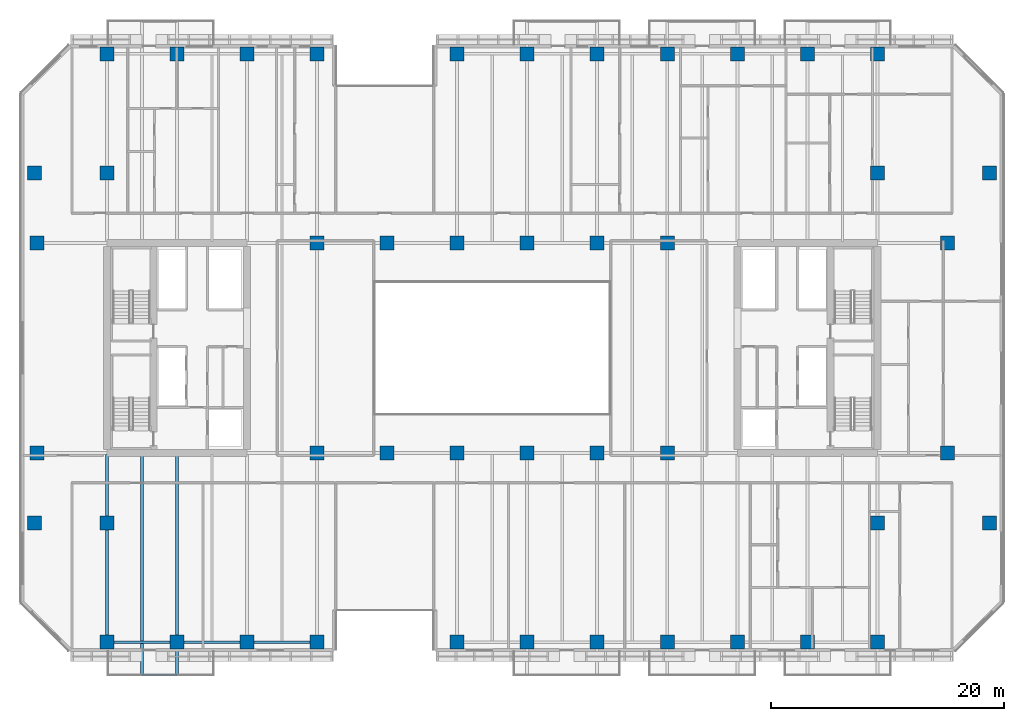
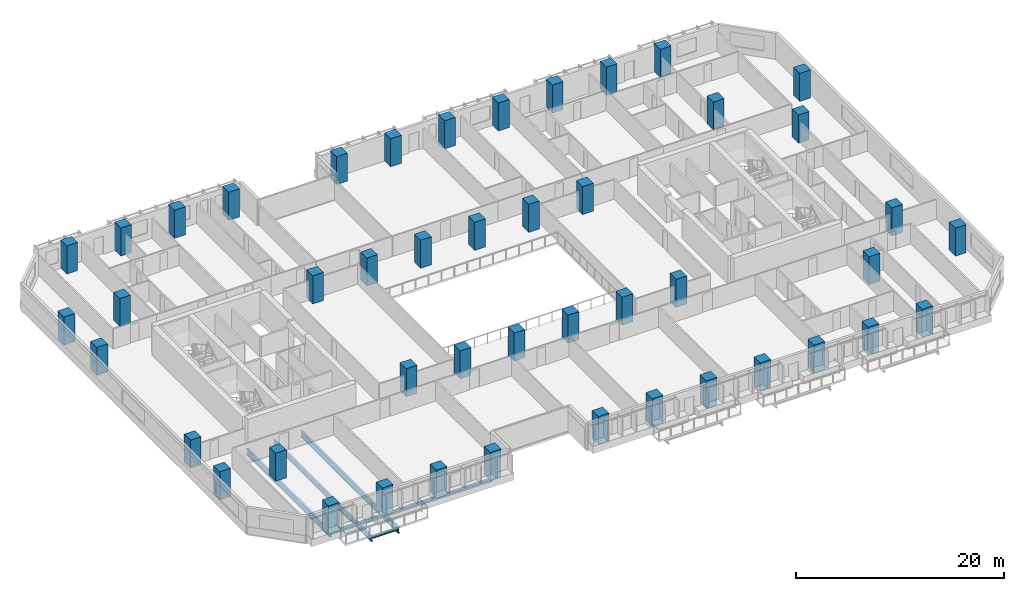
# One storey, part 1 of 25: 46 columns, 7 beams.
"""IFC4 building model written with IfcOpenShell, lengths in metres."""

import ifcopenshell
import ifcopenshell.guid

model = None  # the IFC model being written
_history = None  # IfcOwnerHistory: only IFC2X3 demands one
_inside = {}  # id of a spatial element -> (the spatial element, [elements in it])
_under = {}  # id of a project, library or spatial element -> (it, [spatial elements below it])
_declared = {}  # id of a project -> (the project, [libraries it declares])
_typed = {}  # id of a type object -> (the type object, [elements of that type])
_made_of = {}  # id of a material, layer set ... -> (it, [elements and type objects made of it])


def new_model(schema):
    """Start an empty IFC model of exactly this schema.

    Asked for "IFC4X3", IfcOpenShell would pick the latest addendum, in which some entities
    have other attributes; the version numbers below select the first issue.
    IFC2X3 requires an IfcOwnerHistory on every rooted entity: one is made here for all.
    """
    global model, _history
    if schema == "IFC4X3":
        model = ifcopenshell.file(schema_version=(4, 3, 0, 0))
    else:
        model = ifcopenshell.file(schema=schema)
    _inside.clear()
    _under.clear()
    _declared.clear()
    _typed.clear()
    _made_of.clear()
    _history = None
    if model.schema == "IFC2X3":
        org = make("IfcOrganization", Name="unknown")
        user = make(
            "IfcPersonAndOrganization",
            ThePerson=make("IfcPerson", FamilyName="unknown"),
            TheOrganization=org,
        )
        app = make(
            "IfcApplication",
            ApplicationDeveloper=org,
            Version="unknown",
            ApplicationFullName="unknown",
            ApplicationIdentifier="unknown",
        )
        _history = make(
            "IfcOwnerHistory",
            OwningUser=user,
            OwningApplication=app,
            ChangeAction="ADDED",
            CreationDate=0,
        )
    return model


def make(cls, **values):
    """One entity of the class cls with the attributes given. An attribute that is None is left unset."""
    return model.create_entity(
        cls, **{name: value for name, value in values.items() if value is not None}
    )


def rooted(cls, **values):
    """An entity with a GlobalId (a new one), such as an element, a storey or a relation."""
    return make(cls, GlobalId=ifcopenshell.guid.new(), OwnerHistory=_history, **values)


def si_unit(unit_type, name, prefix=None):
    """IfcSIUnit, for example si_unit("LENGTHUNIT", "METRE", prefix="MILLI")."""
    return make("IfcSIUnit", UnitType=unit_type, Prefix=prefix, Name=name)


def assignment(units):
    """IfcUnitAssignment: the units of a project."""
    return None if units is None else make("IfcUnitAssignment", Units=units)


def point(xyz):
    """IfcCartesianPoint."""
    return None if xyz is None else make("IfcCartesianPoint", Coordinates=xyz)


def direction(xyz):
    """IfcDirection."""
    return None if xyz is None else make("IfcDirection", DirectionRatios=xyz)


def frame(location, z_axis=None, x_axis=None):
    """IfcAxis2Placement3D, a coordinate frame: its origin and axes. An axis left out is left unset."""
    return make(
        "IfcAxis2Placement3D",
        Location=point(location),
        Axis=direction(z_axis),
        RefDirection=direction(x_axis),
    )


def frame_2d(location, x_axis=None):
    """IfcAxis2Placement2D, a coordinate frame in the plane: its origin and x axis."""
    return make(
        "IfcAxis2Placement2D", Location=point(location), RefDirection=direction(x_axis)
    )


def origin():
    """The frame at (0, 0, 0) with its axes left unset."""
    return frame((0.0, 0.0, 0.0))


def origin_2d():
    """The frame at (0, 0) in the plane with its x axis left unset."""
    return frame_2d((0.0, 0.0))


def place(relative_to, where):
    """IfcLocalPlacement: puts the frame where relative to a parent placement (None: the world)."""
    return make(
        "IfcLocalPlacement", PlacementRelTo=relative_to, RelativePlacement=where
    )


def context(
    kind, dimensions, precision=None, world=None, true_north=None, identifier=None
):
    """IfcGeometricRepresentationContext, for example the 3D "Model" context."""
    return make(
        "IfcGeometricRepresentationContext",
        ContextIdentifier=identifier,
        ContextType=kind,
        CoordinateSpaceDimension=dimensions,
        Precision=precision,
        WorldCoordinateSystem=world,
        TrueNorth=true_north,
    )


def subcontext(parent, identifier, kind, view, scale=None):
    """IfcGeometricRepresentationSubContext, for example "Body" below "Model"."""
    return make(
        "IfcGeometricRepresentationSubContext",
        ContextIdentifier=identifier,
        ContextType=kind,
        ParentContext=parent,
        TargetScale=scale,
        TargetView=view,
    )


def project(units=None, contexts=None):
    """IfcProject with its units and contexts."""
    return rooted(
        "IfcProject",
        Name="project",
        RepresentationContexts=contexts,
        UnitsInContext=assignment(units),
    )


def spatial(cls, under=None, at=None, **own):
    """A site, building, storey or space (cls), placed at a placement, below another one or the project."""
    s = rooted(cls, ObjectPlacement=at, **own)
    if under is not None:
        _under.setdefault(under.id(), (under, []))[1].append(s)
    return s


def profile(cls, at=None, kind="AREA", **sizes):
    """A parametric profile (cls). Its sizes go by their IFC names, for example OverallWidth=200.0."""
    return make(cls, ProfileType=kind, Position=at, **sizes)


def rectangle(**sizes):
    """IfcRectangleProfileDef."""
    return profile("IfcRectangleProfileDef", **sizes)


def hollow_rectangle(**sizes):
    """IfcRectangleHollowProfileDef."""
    return profile("IfcRectangleHollowProfileDef", **sizes)


def i_section(**sizes):
    """IfcIShapeProfileDef."""
    return profile("IfcIShapeProfileDef", **sizes)


def extrude(swept, where, along, depth):
    """IfcExtrudedAreaSolid: the profile swept, set in the frame where, extruded along a direction by depth."""
    return make(
        "IfcExtrudedAreaSolid",
        SweptArea=swept,
        Position=where,
        ExtrudedDirection=direction(along),
        Depth=depth,
    )


def shape(context_of_items, identifier, shape_type, items):
    """IfcShapeRepresentation: the items that make up one representation, for example the "Body"."""
    return make(
        "IfcShapeRepresentation",
        ContextOfItems=context_of_items,
        RepresentationIdentifier=identifier,
        RepresentationType=shape_type,
        Items=items,
    )


def material(Name=None, Category=None):
    """IfcMaterial."""
    return make("IfcMaterial", Name=Name, Category=Category)


def material_profile(
    of_material, cross_section, Name=None, Category=None, Priority=None
):
    """IfcMaterialProfile: a cross section and its material."""
    return make(
        "IfcMaterialProfile",
        Name=Name,
        Material=of_material,
        Profile=cross_section,
        Priority=Priority,
        Category=Category,
    )


def profile_set(profiles, Name=None, composite=None):
    """IfcMaterialProfileSet."""
    return make(
        "IfcMaterialProfileSet",
        Name=Name,
        MaterialProfiles=profiles,
        CompositeProfile=composite,
    )


def made_of(thing, what):
    """Note that an element or type object is made of a material, layer set ...; save() writes the relation."""
    if what is not None:
        _made_of.setdefault(what.id(), (what, []))[1].append(thing)
    return thing


def type_object(cls, material=None, **own):
    """A type object (cls), such as IfcWallType, which elements share."""
    return made_of(rooted(cls, **own), material)


def element(
    cls,
    number,
    at=None,
    inside=None,
    cuts=None,
    type_object=None,
    material=None,
    context=None,
    identifier="Body",
    shape_type=None,
    held_by="IfcProductDefinitionShape",
    body=None,
    shapes=None,
    **own,
):
    """One element of the class cls, such as IfcWall. Its Tag is "e" and its number.

    at: its placement. inside: the storey or other place that contains it. cuts: it is an
    opening in that element (IfcRelVoidsElement). A single representation is given by context,
    identifier, shape_type and body (its items); several are given by shapes. held_by: the class
    of the entity that holds the representations. save() writes the other relations.
    """
    e = rooted(cls, Tag="e%d" % number, ObjectPlacement=at, **own)
    if body is not None:
        shapes = [shape(context, identifier, shape_type, body)]
    if shapes is not None:
        e.Representation = make(held_by, Representations=shapes)
    if inside is not None:
        _inside.setdefault(inside.id(), (inside, []))[1].append(e)
    if cuts is not None:
        rooted(
            "IfcRelVoidsElement", RelatingBuildingElement=cuts, RelatedOpeningElement=e
        )
    if type_object is not None:
        _typed.setdefault(type_object.id(), (type_object, []))[1].append(e)
    return made_of(e, material)


def aggregate(whole, parts):
    """IfcRelAggregates: a whole, such as a stair, and the parts it consists of."""
    return rooted("IfcRelAggregates", RelatingObject=whole, RelatedObjects=parts)


def save(model, path):
    """Write the relations noted so far, then the file.

    IfcRelAggregates (storeys below a building ...), IfcRelContainedInSpatialStructure (elements
    in a storey), IfcRelDefinesByType, IfcRelAssociatesMaterial and IfcRelDeclares: one each for
    every whole, place, type object, material and project.
    """
    for whole, parts in _under.values():
        aggregate(whole, parts)
    for where, things in _inside.values():
        rooted(
            "IfcRelContainedInSpatialStructure",
            RelatedElements=things,
            RelatingStructure=where,
        )
    for kind, things in _typed.values():
        rooted("IfcRelDefinesByType", RelatedObjects=things, RelatingType=kind)
    for what, things in _made_of.values():
        rooted("IfcRelAssociatesMaterial", RelatedObjects=things, RelatingMaterial=what)
    for by, libraries in _declared.values():
        rooted("IfcRelDeclares", RelatingContext=by, RelatedDefinitions=libraries)
    model.write(path)


model = new_model("IFC4")

# Units and contexts
model_context = context("Model", 3, precision=1e-05, world=origin(), true_north=direction((0.0, 1.0)))
body_context = subcontext(model_context, "Body", "Model", "MODEL_VIEW")
ifc_project = project(units=[si_unit("LENGTHUNIT", "METRE"), si_unit("AREAUNIT", "SQUARE_METRE"), si_unit("VOLUMEUNIT", "CUBIC_METRE"), si_unit("PLANEANGLEUNIT", "RADIAN"), si_unit("MASSUNIT", "GRAM", prefix="KILO")], contexts=[model_context])

# Site, building, storey
site_placement = place(None, origin())
site = spatial("IfcSite", under=ifc_project, at=site_placement, CompositionType="ELEMENT")
building_placement = place(site_placement, origin())
building = spatial("IfcBuilding", under=site, at=building_placement, Name="Tanjung Sevakor Pilgrim Tower", CompositionType="ELEMENT")
storey_placement = place(building_placement, frame((0.0, 0.0, 42.239990234375)))
storey = spatial("IfcBuildingStorey", under=building, at=storey_placement, Name="L11", CompositionType="ELEMENT", Elevation=42.239990234375)

# Columns
ifc_material_1 = material(Name="Concrete C60/75", Category="concrete")
ifc_material_profile_1 = material_profile(ifc_material_1, rectangle(XDim=1.199951171875, YDim=1.199951171875, at=origin_2d()))
ifc_profile_set_1 = profile_set([ifc_material_profile_1], Name="Concrete C60/75")
column_type = type_object("IfcColumnType", Name="COL-C-T1200-RC_1200x1200", PredefinedType="COLUMN", material=ifc_profile_set_1)
for number, where, z_axis, x_axis, name in (
    (1, (18.0, 24.60009765625, 0.0), (0.0, 0.0, 1.0), (1.0, 0.0, 0.0), "L11 Column SPW-018-246"),
    (2, (18.0, 42.60009765625, 0.0), (0.0, 0.0, 1.0), (1.0, 0.0, 0.0), "L11 Column SPW-018-426"),
    (3, (42.0, 24.60009765625, 0.0), (0.0, 0.0, 1.0), (1.0, 0.0, 0.0), "L11 Column SPW-042-246"),
    (4, (42.0, 42.60009765625, 0.0), (0.0, 0.0, 1.0), (1.0, 0.0, 0.0), "L11 Column SPW-042-426"),
    (5, (48.0, 24.60009765625, 0.0), (0.0, 0.0, 1.0), (1.0, 0.0, 0.0), "L11 Column SPW-048-246"),
    (6, (48.0, 42.60009765625, 0.0), (0.0, 0.0, 1.0), (1.0, 0.0, 0.0), "L11 Column SPW-048-426"),
    (7, (54.0, 24.60009765625, 0.0), (0.0, 0.0, 1.0), (1.0, 0.0, 0.0), "L11 Column SPE-054-246"),
    (8, (54.0, 42.60009765625, 0.0), (0.0, 0.0, 1.0), (1.0, 0.0, 0.0), "L11 Column SPE-054-426"),
    (9, (60.0, 24.60009765625, 0.0), (0.0, 0.0, 1.0), (1.0, 0.0, 0.0), "L11 Column SPE-060-246"),
    (10, (60.0, 42.60009765625, 0.0), (0.0, 0.0, 1.0), (1.0, 0.0, 0.0), "L11 Column SPE-060-426"),
    (11, (66.0, 24.60009765625, 0.0), (0.0, 0.0, 1.0), (1.0, 0.0, 0.0), "L11 Column SPE-066-246"),
    (12, (66.0, 42.60009765625, 0.0), (0.0, 0.0, 1.0), (1.0, 0.0, 0.0), "L11 Column SPE-066-426"),
    (13, (72.0, 24.60009765625, 0.0), (0.0, 0.0, 1.0), (1.0, 0.0, 0.0), "L11 Column SPE-072-246"),
    (14, (72.0, 42.60009765625, 0.0), (0.0, 0.0, 1.0), (1.0, 0.0, 0.0), "L11 Column SPE-072-426"),
    (15, (96.0, 24.60009765625, 0.0), (0.0, 0.0, 1.0), (1.0, 0.0, 0.0), "L11 Column SPE-096-246"),
    (16, (96.0, 42.60009765625, 0.0), (0.0, 0.0, 1.0), (1.0, 0.0, 0.0), "L11 Column SPE-096-426"),
    (17, (17.800048828125, 18.60009765625, 0.0), (0.0, 0.0, 1.0), (1.0, 0.0, 0.0), "L11 Column TCE-0178-186"),
    (18, (17.800048828125, 48.60009765625, 0.0), (0.0, 0.0, 1.0), (1.0, 0.0, 0.0), "L11 Column TCE-0178-486"),
    (19, (24.0, 18.60009765625, 0.0), (0.0, 0.0, 1.0), (1.0, 0.0, 0.0), "L11 Column TCE-0240-186"),
    (20, (24.0, 48.60009765625, 0.0), (0.0, 0.0, 1.0), (1.0, 0.0, 0.0), "L11 Column TCE-0240-486"),
    (21, (90.0, 18.60009765625, 0.0), (0.0, 0.0, 1.0), (1.0, 0.0, 0.0), "L11 Column TCE-0900-186"),
    (22, (90.0, 48.60009765625, 0.0), (0.0, 0.0, 1.0), (1.0, 0.0, 0.0), "L11 Column TCE-0900-486"),
    (23, (99.60009765625, 18.60009765625, 0.0), (0.0, 0.0, 1.0), (1.0, 0.0, 0.0), "L11 Column TCE-0996-186"),
    (24, (99.60009765625, 48.60009765625, 0.0), (0.0, 0.0, 1.0), (1.0, 0.0, 0.0), "L11 Column TCE-0996-486"),
    (25, (24.0, 8.39990234375, 0.0), (0.0, 0.0, 1.0), (1.0, 0.0, 0.0), "L11 Column TC1-024-084"),
    (26, (24.0, 58.800048828125, 0.0), (0.0, 0.0, 1.0), (1.0, 0.0, 0.0), "L11 Column TC1-024-588"),
    (27, (30.0, 8.39990234375, 0.0), (0.0, 0.0, 1.0), (1.0, 0.0, 0.0), "L11 Column TC1-030-084"),
    (28, (30.0, 58.800048828125, 0.0), (0.0, 0.0, 1.0), (1.0, 0.0, 0.0), "L11 Column TC1-030-588"),
    (29, (36.0, 8.39990234375, 0.0), (0.0, 0.0, 1.0), (1.0, 0.0, 0.0), "L11 Column TC1-036-084"),
    (30, (36.0, 58.800048828125, 0.0), (0.0, 0.0, 1.0), (1.0, 0.0, 0.0), "L11 Column TC1-036-588"),
    (31, (42.0, 8.39990234375, 0.0), (0.0, 0.0, 1.0), (1.0, 0.0, 0.0), "L11 Column TC1-042-084"),
    (32, (42.0, 58.800048828125, 0.0), (0.0, 0.0, 1.0), (1.0, 0.0, 0.0), "L11 Column TC1-042-588"),
    (33, (54.0, 8.39990234375, 0.0), (0.0, 0.0, 1.0), (1.0, 0.0, 0.0), "L11 Column TC1-054-084"),
    (34, (54.0, 58.800048828125, 0.0), (0.0, 0.0, 1.0), (1.0, 0.0, 0.0), "L11 Column TC1-054-588"),
    (35, (60.0, 8.39990234375, 0.0), (0.0, 0.0, 1.0), (1.0, 0.0, 0.0), "L11 Column TC1-060-084"),
    (36, (60.0, 58.800048828125, 0.0), (0.0, 0.0, 1.0), (1.0, 0.0, 0.0), "L11 Column TC1-060-588"),
    (37, (66.0, 8.39990234375, 0.0), (0.0, 0.0, 1.0), (1.0, 0.0, 0.0), "L11 Column TC1-066-084"),
    (38, (66.0, 58.800048828125, 0.0), (0.0, 0.0, 1.0), (1.0, 0.0, 0.0), "L11 Column TC1-066-588"),
    (39, (72.0, 8.39990234375, 0.0), (0.0, 0.0, 1.0), (1.0, 0.0, 0.0), "L11 Column TC1-072-084"),
    (40, (72.0, 58.800048828125, 0.0), (0.0, 0.0, 1.0), (1.0, 0.0, 0.0), "L11 Column TC1-072-588"),
    (41, (78.0, 8.39990234375, 0.0), (0.0, 0.0, 1.0), (1.0, 0.0, 0.0), "L11 Column TC1-078-084"),
    (42, (78.0, 58.800048828125, 0.0), (0.0, 0.0, 1.0), (1.0, 0.0, 0.0), "L11 Column TC1-078-588"),
    (43, (84.0, 8.39990234375, 0.0), (0.0, 0.0, 1.0), (1.0, 0.0, 0.0), "L11 Column TC1-084-084"),
    (44, (84.0, 58.800048828125, 0.0), (0.0, 0.0, 1.0), (1.0, 0.0, 0.0), "L11 Column TC1-084-588"),
    (45, (90.0, 8.39990234375, 0.0), (0.0, 0.0, 1.0), (1.0, 0.0, 0.0), "L11 Column TC1-090-084"),
    (46, (90.0, 58.800048828125, 0.0), (0.0, 0.0, 1.0), (1.0, 0.0, 0.0), "L11 Column TC1-090-588"),
):
    element("IfcColumn", number, at=place(storey_placement, frame(where, z_axis=z_axis, x_axis=x_axis)), inside=storey, type_object=column_type, Name=name, PredefinedType="COLUMN", context=body_context, shape_type="SweptSolid", body=[
        extrude(rectangle(XDim=1.199951171875, YDim=1.199951171875, at=origin_2d()), origin(), (0.0, 0.0, 1.0), 3.300048828125),
    ])

# Beams
ifc_material_2 = material(Name="Steel S355J2", Category="steel")
ifc_material_profile_2 = material_profile(ifc_material_2, i_section(OverallWidth=0.25439453125, OverallDepth=0.6875, WebThickness=0.01318359375, FlangeThickness=0.02099609375, FilletRadius=0.01513671875, at=origin_2d()))
ifc_profile_set_2 = profile_set([ifc_material_profile_2], Name="Steel S355J2")
beam_type_1 = type_object("IfcBeamType", Name="BM-B-G2-UB_686x254x152", PredefinedType="BEAM", material=ifc_profile_set_2)
beam_1_placement = place(storey_placement, frame((24.0, 8.39990234375, -0.563720703125), z_axis=(0.0, 1.0, 0.0), x_axis=(-1.0, 0.0, 0.0)))
element("IfcBeam", 47, at=beam_1_placement, inside=storey, type_object=beam_type_1, Name="L11 MAIN Girder 001", PredefinedType="BEAM", context=body_context, shape_type="SweptSolid", body=[
    extrude(i_section(OverallWidth=0.25439453125, OverallDepth=0.6875, WebThickness=0.01318359375, FlangeThickness=0.02099609375, FilletRadius=0.01513671875, at=origin_2d()), origin(), (0.0, 0.0, 1.0), 16.066162109375),
])
beam_2_placement = place(storey_placement, frame((30.0, 24.466064453125, -0.563720703125), z_axis=(0.0, -1.0, 0.0), x_axis=(1.0, 0.0, 0.0)))
element("IfcBeam", 48, at=beam_2_placement, inside=storey, type_object=beam_type_1, Name="L11 Balcony Cantilever Beam MAIN-S1-2", PredefinedType="BEAM", context=body_context, shape_type="SweptSolid", body=[
    extrude(i_section(OverallWidth=0.25439453125, OverallDepth=0.6875, WebThickness=0.01318359375, FlangeThickness=0.02099609375, FilletRadius=0.01513671875, at=origin_2d()), origin(), (0.0, 0.0, 1.0), 18.845947265625),
])
ifc_material_3 = material(Name="Steel S355J2", Category="steel")
ifc_material_profile_3 = material_profile(ifc_material_3, i_section(OverallWidth=0.22900390625, OverallDepth=0.6123046875, WebThickness=0.011962890625, FlangeThickness=0.01953125, FilletRadius=0.0126953125, at=origin_2d()))
ifc_profile_set_3 = profile_set([ifc_material_profile_3], Name="Steel S355J2")
beam_type_2 = type_object("IfcBeamType", Name="BM-B-G4-UB_610x229x125", PredefinedType="BEAM", material=ifc_profile_set_3)
beam_3_placement = place(storey_placement, frame((27.0, 24.466064453125, -0.526123046875), z_axis=(0.0, -1.0, 0.0), x_axis=(1.0, 0.0, 0.0)))
element("IfcBeam", 49, at=beam_3_placement, inside=storey, type_object=beam_type_2, Name="L11 Balcony Cantilever Beam MAIN-S1-1", PredefinedType="BEAM", context=body_context, shape_type="SweptSolid", body=[
    extrude(i_section(OverallWidth=0.22900390625, OverallDepth=0.6123046875, WebThickness=0.011962890625, FlangeThickness=0.01953125, FilletRadius=0.0126953125, at=origin_2d()), origin(), (0.0, 0.0, 1.0), 18.845947265625),
])
ifc_material_4 = material(Name="Steel S355J2", Category="steel")
ifc_material_profile_4 = material_profile(ifc_material_4, i_section(OverallWidth=0.146484375, OverallDepth=0.256103515625, WebThickness=0.00634765625, FlangeThickness=0.010986328125, FilletRadius=0.007568359375, at=origin_2d()))
ifc_profile_set_4 = profile_set([ifc_material_profile_4], Name="Steel S355J2")
beam_type_3 = type_object("IfcBeamType", Name="BM-B-J6-UB_254x146x37", PredefinedType="JOIST", material=ifc_profile_set_4)
beam_4_placement = place(storey_placement, frame((27.0, 5.6201171875, -0.327880859375), z_axis=(1.0, 0.0, 0.0), x_axis=(0.0, 1.0, 0.0)))
element("IfcBeam", 50, at=beam_4_placement, inside=storey, type_object=beam_type_3, Name="L11 Balcony Rim Tie MAIN-S1", PredefinedType="JOIST", context=body_context, shape_type="SweptSolid", body=[
    extrude(i_section(OverallWidth=0.146484375, OverallDepth=0.256103515625, WebThickness=0.00634765625, FlangeThickness=0.010986328125, FilletRadius=0.007568359375, at=origin_2d()), origin(), (0.0, 0.0, 1.0), 3.0),
])
ifc_material_5 = material(Name="Steel S355J2", Category="steel")
ifc_material_profile_5 = material_profile(ifc_material_5, hollow_rectangle(XDim=0.199951171875, YDim=0.39990234375, WallThickness=0.01611328125, at=origin_2d()))
ifc_profile_set_5 = profile_set([ifc_material_profile_5], Name="Steel S355J2")
beam_type_4 = type_object("IfcBeamType", Name="BM-B-SP2-RHS_400x200x16", PredefinedType="SPANDREL", material=ifc_profile_set_5)
for number, where, z_axis, x_axis, name in (
    (51, (24.0, 8.39990234375, -0.419921875), (1.0, 0.0, 0.0), (0.0, 1.0, 0.0), "L11 Spandrel MAIN S-01"),
    (52, (30.0, 8.39990234375, -0.419921875), (1.0, 0.0, 0.0), (0.0, 1.0, 0.0), "L11 Spandrel MAIN S-03"),
    (53, (36.0, 8.39990234375, -0.419921875), (1.0, 0.0, 0.0), (0.0, 1.0, 0.0), "L11 Spandrel MAIN S-05"),
):
    element("IfcBeam", number, at=place(storey_placement, frame(where, z_axis=z_axis, x_axis=x_axis)), inside=storey, type_object=beam_type_4, Name=name, PredefinedType="SPANDREL", context=body_context, shape_type="SweptSolid", body=[
        extrude(hollow_rectangle(XDim=0.199951171875, YDim=0.39990234375, WallThickness=0.01611328125, at=origin_2d()), origin(), (0.0, 0.0, 1.0), 6.0),
    ])

save(model, "model.ifc")
